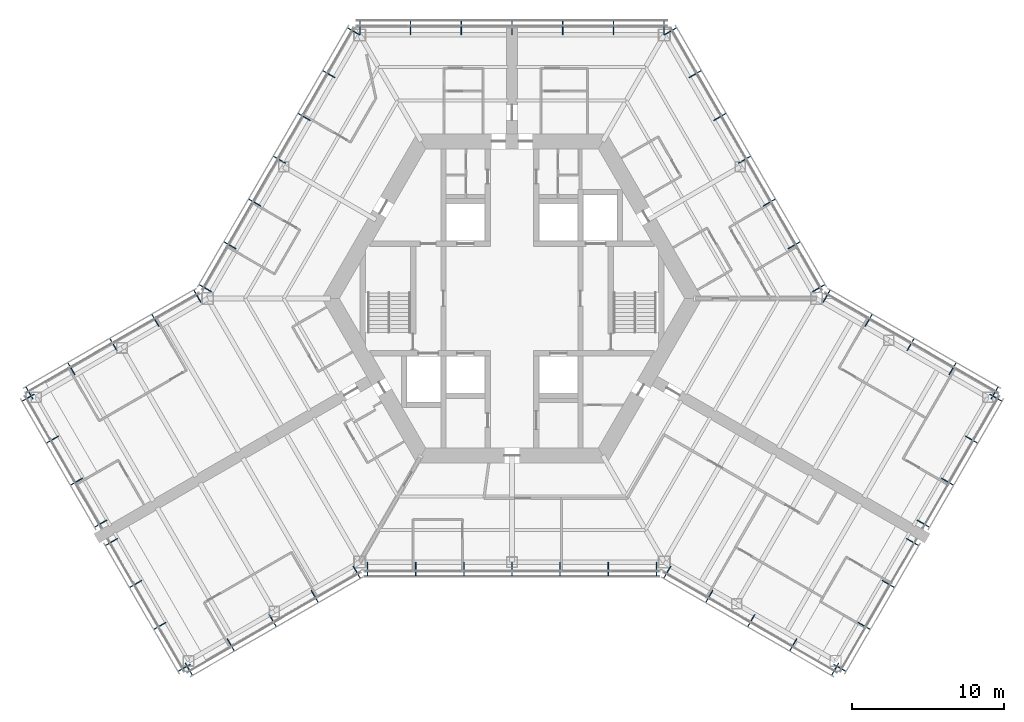
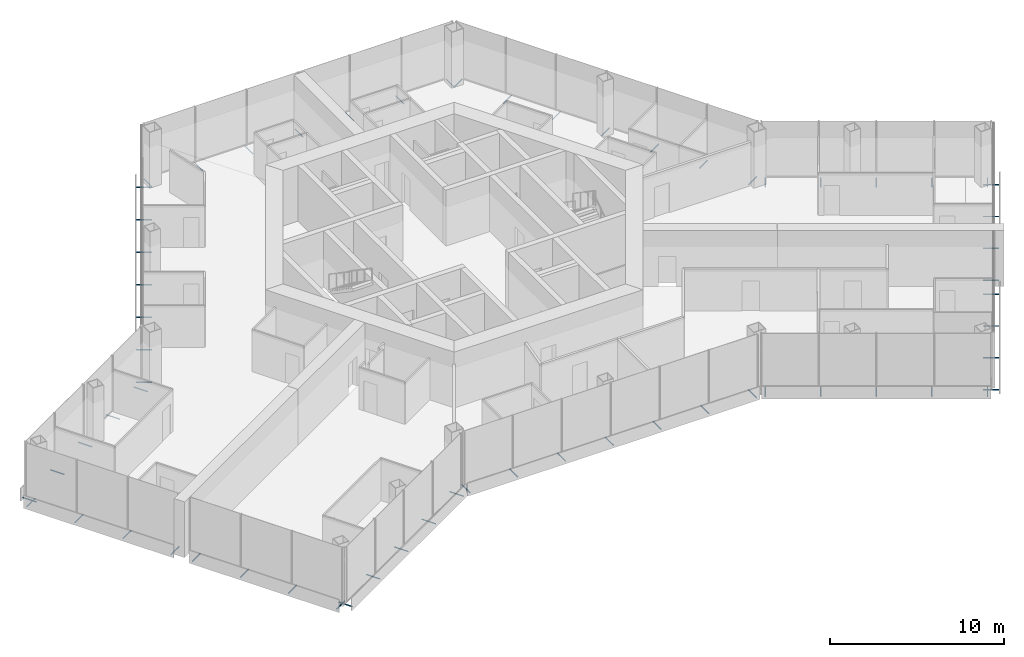
# One storey, part 16 of 18: 64 discrete accessories.
"""IFC4 building model written with IfcOpenShell, lengths in metres."""

from ifc_helpers import new_model, si_unit, direction, frame, origin, origin_2d, place, context, subcontext, project, spatial, hollow_circle, extrude, material, material_profile, profile_set, type_object, element, save


model = new_model("IFC4")

# Units and contexts
model_context = context("Model", 3, precision=1e-05, world=origin(), true_north=direction((0.0, 1.0)))
body_context = subcontext(model_context, "Body", "Model", "MODEL_VIEW")
ifc_project = project(units=[si_unit("LENGTHUNIT", "METRE"), si_unit("AREAUNIT", "SQUARE_METRE"), si_unit("VOLUMEUNIT", "CUBIC_METRE"), si_unit("PLANEANGLEUNIT", "RADIAN"), si_unit("MASSUNIT", "GRAM", prefix="KILO")], contexts=[model_context])

# Site, building, storey
site_placement = place(None, origin())
site = spatial("IfcSite", under=ifc_project, at=site_placement, CompositionType="ELEMENT")
building_placement = place(site_placement, origin())
building = spatial("IfcBuilding", under=site, at=building_placement, Name="Kasaneha Research Tower", CompositionType="ELEMENT")
storey_placement = place(building_placement, frame((0.0, 0.0, 172.10009765625)))
storey = spatial("IfcBuildingStorey", under=building, at=storey_placement, Name="L43", CompositionType="ELEMENT", Elevation=172.10009765625)

# Discrete accessories
ifc_material = material(Name="Steel STK400", Category="steel")
ifc_material_profile = material_profile(ifc_material, hollow_circle(Radius=0.0380859375, WallThickness=0.00390625, at=origin_2d()), Name="CHS-76.3x4.0")
ifc_profile_set = profile_set([ifc_material_profile], Name="Steel STK400")
discrete_accessory_type = type_object("IfcDiscreteAccessoryType", Name="Screen bracket CHS-76.3x4.0", PredefinedType="BRACKET", material=ifc_profile_set)
for number, where, z_axis, x_axis, name in (
    (1, (-9.4892578125, -17.320556640625, -0.300048828125), (0.0, -1.0, 0.0), (1.0, 0.0, 0.0), "Screen bracket 1"),
    (2, (-6.326171875, -17.320556640625, -0.300048828125), (0.0, -1.0, 0.0), (1.0, 0.0, 0.0), "Screen bracket 2"),
    (3, (-3.1630859375, -17.320556640625, -0.300048828125), (0.0, -1.0, 0.0), (1.0, 0.0, 0.0), "Screen bracket 3"),
    (4, (0.0, -17.320556640625, -0.300048828125), (0.0, -1.0, 0.0), (1.0, 0.0, 0.0), "Screen bracket 4"),
    (5, (3.1630859375, -17.320556640625, -0.300048828125), (0.0, -1.0, 0.0), (1.0, 0.0, 0.0), "Screen bracket 5"),
    (6, (6.326171875, -17.320556640625, -0.300048828125), (0.0, -1.0, 0.0), (1.0, 0.0, 0.0), "Screen bracket 6"),
    (7, (9.4892578125, -17.320556640625, -0.300048828125), (0.0, -1.0, 0.0), (1.0, 0.0, 0.0), "Screen bracket 7"),
    (8, (10.4423828125, -17.575927734375, -0.300048828125), (-0.500021113727, -0.866013213425, 0.0), (0.866013213425, -0.500021113727, 0.0), "Screen bracket 1"),
):
    element("IfcDiscreteAccessory", number, at=place(storey_placement, frame(where, z_axis=z_axis, x_axis=x_axis)), inside=storey, type_object=discrete_accessory_type, Name=name, PredefinedType="BRACKET", context=body_context, shape_type="SweptSolid", body=[
        extrude(hollow_circle(Radius=0.0380859375, WallThickness=0.00390625, at=origin_2d()), origin(), (0.0, 0.0, 1.0), 0.919921875),
    ])
discrete_accessory_1_placement = place(storey_placement, frame((13.200439453125, -19.168212890625, -0.300048828125), z_axis=(-0.499906209203, -0.866079547155, 0.0), x_axis=(0.866079547155, -0.499906209203, 0.0)))
element("IfcDiscreteAccessory", 9, at=discrete_accessory_1_placement, inside=storey, type_object=discrete_accessory_type, Name="Screen bracket 2", PredefinedType="BRACKET", context=body_context, shape_type="SweptSolid", body=[
    extrude(hollow_circle(Radius=0.0380859375, WallThickness=0.00390625, at=origin_2d()), origin(), (0.0, 0.0, 1.0), 0.920166015625),
])
discrete_accessory_2_placement = place(storey_placement, frame((15.95849609375, -20.7607421875, -0.300048828125), z_axis=(-0.500021113727, -0.866013213425, 0.0), x_axis=(0.866013213425, -0.500021113727, 0.0)))
element("IfcDiscreteAccessory", 10, at=discrete_accessory_2_placement, inside=storey, type_object=discrete_accessory_type, Name="Screen bracket 3", PredefinedType="BRACKET", context=body_context, shape_type="SweptSolid", body=[
    extrude(hollow_circle(Radius=0.0380859375, WallThickness=0.00390625, at=origin_2d()), origin(), (0.0, 0.0, 1.0), 0.919921875),
])
discrete_accessory_3_placement = place(storey_placement, frame((18.716796875, -22.35302734375, -0.300048828125), z_axis=(-0.500105201737, -0.865964657013, 0.0), x_axis=(0.865964657013, -0.500105201737, 0.0)))
element("IfcDiscreteAccessory", 11, at=discrete_accessory_3_placement, inside=storey, type_object=discrete_accessory_type, Name="Screen bracket 4", PredefinedType="BRACKET", context=body_context, shape_type="SweptSolid", body=[
    extrude(hollow_circle(Radius=0.0380859375, WallThickness=0.00390625, at=origin_2d()), origin(), (0.0, 0.0, 1.0), 0.920166015625),
])
discrete_accessory_4_placement = place(storey_placement, frame((21.474853515625, -23.945556640625, -0.300048828125), z_axis=(-0.500021113727, -0.866013213425, 0.0), x_axis=(0.866013213425, -0.500021113727, 0.0)))
element("IfcDiscreteAccessory", 12, at=discrete_accessory_4_placement, inside=storey, type_object=discrete_accessory_type, Name="Screen bracket 5", PredefinedType="BRACKET", context=body_context, shape_type="SweptSolid", body=[
    extrude(hollow_circle(Radius=0.0380859375, WallThickness=0.00390625, at=origin_2d()), origin(), (0.0, 0.0, 1.0), 0.919921875),
])
discrete_accessory_5_placement = place(storey_placement, frame((21.13330078125, -24.037109375, -0.300048828125), z_axis=(0.866079547155, -0.499906209203, 0.0), x_axis=(0.499906209203, 0.866079547155, 0.0)))
element("IfcDiscreteAccessory", 13, at=discrete_accessory_5_placement, inside=storey, type_object=discrete_accessory_type, Name="Screen bracket 1", PredefinedType="BRACKET", context=body_context, shape_type="SweptSolid", body=[
    extrude(hollow_circle(Radius=0.0380859375, WallThickness=0.00390625, at=origin_2d()), origin(), (0.0, 0.0, 1.0), 0.920166015625),
])
discrete_accessory_6_placement = place(storey_placement, frame((22.72509765625, -21.2802734375, -0.300048828125), z_axis=(0.866013213425, -0.500021113727, 0.0), x_axis=(0.500021113727, 0.866013213425, 0.0)))
element("IfcDiscreteAccessory", 14, at=discrete_accessory_6_placement, inside=storey, type_object=discrete_accessory_type, Name="Screen bracket 2", PredefinedType="BRACKET", context=body_context, shape_type="SweptSolid", body=[
    extrude(hollow_circle(Radius=0.0380859375, WallThickness=0.00390625, at=origin_2d()), origin(), (0.0, 0.0, 1.0), 0.919921875),
])
discrete_accessory_7_placement = place(storey_placement, frame((24.316650390625, -18.5234375, -0.300048828125), z_axis=(0.866079547155, -0.499906209203, 0.0), x_axis=(0.499906209203, 0.866079547155, 0.0)))
element("IfcDiscreteAccessory", 15, at=discrete_accessory_7_placement, inside=storey, type_object=discrete_accessory_type, Name="Screen bracket 3", PredefinedType="BRACKET", context=body_context, shape_type="SweptSolid", body=[
    extrude(hollow_circle(Radius=0.0380859375, WallThickness=0.00390625, at=origin_2d()), origin(), (0.0, 0.0, 1.0), 0.920166015625),
])
for number, where, z_axis, x_axis, name in (
    (16, (25.908447265625, -15.766357421875, -0.300048828125), (0.865898279276, -0.500220121494, 0.0), (0.500220121494, 0.865898279276, 0.0), "Screen bracket 4"),
    (17, (26.6083984375, -14.553955078125, -0.300048828125), (0.866013213425, -0.500021113727, 0.0), (0.500021113727, 0.866013213425, 0.0), "Screen bracket 1"),
):
    element("IfcDiscreteAccessory", number, at=place(storey_placement, frame(where, z_axis=z_axis, x_axis=x_axis)), inside=storey, type_object=discrete_accessory_type, Name=name, PredefinedType="BRACKET", context=body_context, shape_type="SweptSolid", body=[
        extrude(hollow_circle(Radius=0.0380859375, WallThickness=0.00390625, at=origin_2d()), origin(), (0.0, 0.0, 1.0), 0.919921875),
    ])
discrete_accessory_8_placement = place(storey_placement, frame((28.199951171875, -11.797119140625, -0.300048828125), z_axis=(0.866079547155, -0.499906209203, 0.0), x_axis=(0.499906209203, 0.866079547155, 0.0)))
element("IfcDiscreteAccessory", 18, at=discrete_accessory_8_placement, inside=storey, type_object=discrete_accessory_type, Name="Screen bracket 2", PredefinedType="BRACKET", context=body_context, shape_type="SweptSolid", body=[
    extrude(hollow_circle(Radius=0.0380859375, WallThickness=0.00390625, at=origin_2d()), origin(), (0.0, 0.0, 1.0), 0.920166015625),
])
discrete_accessory_9_placement = place(storey_placement, frame((29.791748046875, -9.040283203125, -0.300048828125), z_axis=(0.866013213425, -0.500021113727, 0.0), x_axis=(0.500021113727, 0.866013213425, 0.0)))
element("IfcDiscreteAccessory", 19, at=discrete_accessory_9_placement, inside=storey, type_object=discrete_accessory_type, Name="Screen bracket 3", PredefinedType="BRACKET", context=body_context, shape_type="SweptSolid", body=[
    extrude(hollow_circle(Radius=0.0380859375, WallThickness=0.00390625, at=origin_2d()), origin(), (0.0, 0.0, 1.0), 0.919921875),
])
discrete_accessory_10_placement = place(storey_placement, frame((31.38330078125, -6.283447265625, -0.300048828125), z_axis=(0.866079547155, -0.499906209203, 0.0), x_axis=(0.499906209203, 0.866079547155, 0.0)))
element("IfcDiscreteAccessory", 20, at=discrete_accessory_10_placement, inside=storey, type_object=discrete_accessory_type, Name="Screen bracket 4", PredefinedType="BRACKET", context=body_context, shape_type="SweptSolid", body=[
    extrude(hollow_circle(Radius=0.0380859375, WallThickness=0.00390625, at=origin_2d()), origin(), (0.0, 0.0, 1.0), 0.920166015625),
])
discrete_accessory_11_placement = place(storey_placement, frame((31.474853515625, -6.625, -0.300048828125), z_axis=(0.500021113727, 0.866013213425, 0.0), x_axis=(-0.866013213425, 0.500021113727, 0.0)))
element("IfcDiscreteAccessory", 21, at=discrete_accessory_11_placement, inside=storey, type_object=discrete_accessory_type, Name="Screen bracket 1", PredefinedType="BRACKET", context=body_context, shape_type="SweptSolid", body=[
    extrude(hollow_circle(Radius=0.0380859375, WallThickness=0.00390625, at=origin_2d()), origin(), (0.0, 0.0, 1.0), 0.919921875),
])
discrete_accessory_12_placement = place(storey_placement, frame((28.716796875, -5.03271484375, -0.300048828125), z_axis=(0.499906209203, 0.866079547155, 0.0), x_axis=(-0.866079547155, 0.499906209203, 0.0)))
element("IfcDiscreteAccessory", 22, at=discrete_accessory_12_placement, inside=storey, type_object=discrete_accessory_type, Name="Screen bracket 2", PredefinedType="BRACKET", context=body_context, shape_type="SweptSolid", body=[
    extrude(hollow_circle(Radius=0.0380859375, WallThickness=0.00390625, at=origin_2d()), origin(), (0.0, 0.0, 1.0), 0.920166015625),
])
discrete_accessory_13_placement = place(storey_placement, frame((25.95849609375, -3.440185546875, -0.300048828125), z_axis=(0.500220121494, 0.865898279276, 0.0), x_axis=(-0.865898279276, 0.500220121494, 0.0)))
element("IfcDiscreteAccessory", 23, at=discrete_accessory_13_placement, inside=storey, type_object=discrete_accessory_type, Name="Screen bracket 3", PredefinedType="BRACKET", context=body_context, shape_type="SweptSolid", body=[
    extrude(hollow_circle(Radius=0.0380859375, WallThickness=0.00390625, at=origin_2d()), origin(), (0.0, 0.0, 1.0), 0.919921875),
])
discrete_accessory_14_placement = place(storey_placement, frame((23.200439453125, -1.847900390625, -0.300048828125), z_axis=(0.499906209203, 0.866079547155, 0.0), x_axis=(-0.866079547155, 0.499906209203, 0.0)))
element("IfcDiscreteAccessory", 24, at=discrete_accessory_14_placement, inside=storey, type_object=discrete_accessory_type, Name="Screen bracket 4", PredefinedType="BRACKET", context=body_context, shape_type="SweptSolid", body=[
    extrude(hollow_circle(Radius=0.0380859375, WallThickness=0.00390625, at=origin_2d()), origin(), (0.0, 0.0, 1.0), 0.920166015625),
])
for number, where, z_axis, x_axis, name in (
    (25, (20.4423828125, -0.25537109375, -0.300048828125), (0.500021113727, 0.866013213425, 0.0), (-0.866013213425, 0.500021113727, 0.0), "Screen bracket 5"),
    (26, (19.74462890625, 0.4423828125, -0.300048828125), (0.866013213425, 0.500021113727, 0.0), (-0.500021113727, 0.866013213425, 0.0), "Screen bracket 1"),
    (27, (18.120849609375, 3.2548828125, -0.300048828125), (0.866013213425, 0.500021113727, 0.0), (-0.500021113727, 0.866013213425, 0.0), "Screen bracket 2"),
    (28, (16.4970703125, 6.0673828125, -0.300048828125), (0.866013213425, 0.500021113727, 0.0), (-0.500021113727, 0.866013213425, 0.0), "Screen bracket 3"),
    (29, (14.873291015625, 8.8798828125, -0.300048828125), (0.866013213425, 0.500021113727, 0.0), (-0.500021113727, 0.866013213425, 0.0), "Screen bracket 4"),
    (30, (13.24951171875, 11.6923828125, -0.300048828125), (0.866013213425, 0.500021113727, 0.0), (-0.500021113727, 0.866013213425, 0.0), "Screen bracket 5"),
):
    element("IfcDiscreteAccessory", number, at=place(storey_placement, frame(where, z_axis=z_axis, x_axis=x_axis)), inside=storey, type_object=discrete_accessory_type, Name=name, PredefinedType="BRACKET", context=body_context, shape_type="SweptSolid", body=[
        extrude(hollow_circle(Radius=0.0380859375, WallThickness=0.00390625, at=origin_2d()), origin(), (0.0, 0.0, 1.0), 0.919921875),
    ])
for number, where, z_axis, x_axis, name in (
    (31, (11.62548828125, 14.5048828125, -0.300048828125), (0.866079547155, 0.499906209203, 0.0), (-0.499906209203, 0.866079547155, 0.0), "Screen bracket 6"),
    (32, (10.001708984375, 17.3173828125, -0.300048828125), (0.866079547155, 0.499906209203, 0.0), (-0.499906209203, 0.866079547155, 0.0), "Screen bracket 7"),
):
    element("IfcDiscreteAccessory", number, at=place(storey_placement, frame(where, z_axis=z_axis, x_axis=x_axis)), inside=storey, type_object=discrete_accessory_type, Name=name, PredefinedType="BRACKET", context=body_context, shape_type="SweptSolid", body=[
        extrude(hollow_circle(Radius=0.0380859375, WallThickness=0.00390625, at=origin_2d()), origin(), (0.0, 0.0, 1.0), 0.920166015625),
    ])
for number, where, z_axis, x_axis, name in (
    (33, (9.996337890625, 17.320556640625, -0.300048828125), (0.0, 1.0, 0.0), (-1.0, 0.0, 0.0), "Screen bracket 1"),
    (34, (6.664306640625, 17.320556640625, -0.300048828125), (0.0, 1.0, 0.0), (-1.0, 0.0, 0.0), "Screen bracket 2"),
    (35, (3.33203125, 17.320556640625, -0.300048828125), (0.0, 1.0, 0.0), (-1.0, 0.0, 0.0), "Screen bracket 3"),
    (36, (0.0, 17.320556640625, -0.300048828125), (0.0, 1.0, 0.0), (-1.0, 0.0, 0.0), "Screen bracket 4"),
    (37, (-3.33203125, 17.320556640625, -0.300048828125), (0.0, 1.0, 0.0), (-1.0, 0.0, 0.0), "Screen bracket 5"),
    (38, (-6.664306640625, 17.320556640625, -0.300048828125), (0.0, 1.0, 0.0), (-1.0, 0.0, 0.0), "Screen bracket 6"),
    (39, (-9.996337890625, 17.320556640625, -0.300048828125), (0.0, 1.0, 0.0), (-1.0, 0.0, 0.0), "Screen bracket 7"),
):
    element("IfcDiscreteAccessory", number, at=place(storey_placement, frame(where, z_axis=z_axis, x_axis=x_axis)), inside=storey, type_object=discrete_accessory_type, Name=name, PredefinedType="BRACKET", context=body_context, shape_type="SweptSolid", body=[
        extrude(hollow_circle(Radius=0.0380859375, WallThickness=0.00390625, at=origin_2d()), origin(), (0.0, 0.0, 1.0), 0.919921875),
    ])
for number, where, z_axis, x_axis, name in (
    (40, (-10.001708984375, 17.3173828125, -0.300048828125), (-0.866079547155, 0.499906209203, 0.0), (-0.499906209203, -0.866079547155, 0.0), "Screen bracket 1"),
    (41, (-11.62548828125, 14.5048828125, -0.300048828125), (-0.866079547155, 0.499906209203, 0.0), (-0.499906209203, -0.866079547155, 0.0), "Screen bracket 2"),
):
    element("IfcDiscreteAccessory", number, at=place(storey_placement, frame(where, z_axis=z_axis, x_axis=x_axis)), inside=storey, type_object=discrete_accessory_type, Name=name, PredefinedType="BRACKET", context=body_context, shape_type="SweptSolid", body=[
        extrude(hollow_circle(Radius=0.0380859375, WallThickness=0.00390625, at=origin_2d()), origin(), (0.0, 0.0, 1.0), 0.920166015625),
    ])
for number, where, z_axis, x_axis, name in (
    (42, (-13.24951171875, 11.6923828125, -0.300048828125), (-0.866013213425, 0.500021113727, 0.0), (-0.500021113727, -0.866013213425, 0.0), "Screen bracket 3"),
    (43, (-14.873291015625, 8.8798828125, -0.300048828125), (-0.866013213425, 0.500021113727, 0.0), (-0.500021113727, -0.866013213425, 0.0), "Screen bracket 4"),
    (44, (-16.4970703125, 6.0673828125, -0.300048828125), (-0.866013213425, 0.500021113727, 0.0), (-0.500021113727, -0.866013213425, 0.0), "Screen bracket 5"),
    (45, (-18.120849609375, 3.2548828125, -0.300048828125), (-0.866013213425, 0.500021113727, 0.0), (-0.500021113727, -0.866013213425, 0.0), "Screen bracket 6"),
    (46, (-19.74462890625, 0.4423828125, -0.300048828125), (-0.866013213425, 0.500021113727, 0.0), (-0.500021113727, -0.866013213425, 0.0), "Screen bracket 7"),
    (47, (-20.4423828125, -0.25537109375, -0.300048828125), (-0.500021113727, 0.866013213425, 0.0), (-0.866013213425, -0.500021113727, 0.0), "Screen bracket 1"),
):
    element("IfcDiscreteAccessory", number, at=place(storey_placement, frame(where, z_axis=z_axis, x_axis=x_axis)), inside=storey, type_object=discrete_accessory_type, Name=name, PredefinedType="BRACKET", context=body_context, shape_type="SweptSolid", body=[
        extrude(hollow_circle(Radius=0.0380859375, WallThickness=0.00390625, at=origin_2d()), origin(), (0.0, 0.0, 1.0), 0.919921875),
    ])
discrete_accessory_15_placement = place(storey_placement, frame((-23.200439453125, -1.847900390625, -0.300048828125), z_axis=(-0.499906209203, 0.866079547155, 0.0), x_axis=(-0.866079547155, -0.499906209203, 0.0)))
element("IfcDiscreteAccessory", 48, at=discrete_accessory_15_placement, inside=storey, type_object=discrete_accessory_type, Name="Screen bracket 2", PredefinedType="BRACKET", context=body_context, shape_type="SweptSolid", body=[
    extrude(hollow_circle(Radius=0.0380859375, WallThickness=0.00390625, at=origin_2d()), origin(), (0.0, 0.0, 1.0), 0.920166015625),
])
discrete_accessory_16_placement = place(storey_placement, frame((-25.95849609375, -3.440185546875, -0.300048828125), z_axis=(-0.500220121494, 0.865898279276, 0.0), x_axis=(-0.865898279276, -0.500220121494, 0.0)))
element("IfcDiscreteAccessory", 49, at=discrete_accessory_16_placement, inside=storey, type_object=discrete_accessory_type, Name="Screen bracket 3", PredefinedType="BRACKET", context=body_context, shape_type="SweptSolid", body=[
    extrude(hollow_circle(Radius=0.0380859375, WallThickness=0.00390625, at=origin_2d()), origin(), (0.0, 0.0, 1.0), 0.919921875),
])
discrete_accessory_17_placement = place(storey_placement, frame((-28.716796875, -5.03271484375, -0.300048828125), z_axis=(-0.499906209203, 0.866079547155, 0.0), x_axis=(-0.866079547155, -0.499906209203, 0.0)))
element("IfcDiscreteAccessory", 50, at=discrete_accessory_17_placement, inside=storey, type_object=discrete_accessory_type, Name="Screen bracket 4", PredefinedType="BRACKET", context=body_context, shape_type="SweptSolid", body=[
    extrude(hollow_circle(Radius=0.0380859375, WallThickness=0.00390625, at=origin_2d()), origin(), (0.0, 0.0, 1.0), 0.920166015625),
])
discrete_accessory_18_placement = place(storey_placement, frame((-31.474853515625, -6.625, -0.300048828125), z_axis=(-0.500021113727, 0.866013213425, 0.0), x_axis=(-0.866013213425, -0.500021113727, 0.0)))
element("IfcDiscreteAccessory", 51, at=discrete_accessory_18_placement, inside=storey, type_object=discrete_accessory_type, Name="Screen bracket 5", PredefinedType="BRACKET", context=body_context, shape_type="SweptSolid", body=[
    extrude(hollow_circle(Radius=0.0380859375, WallThickness=0.00390625, at=origin_2d()), origin(), (0.0, 0.0, 1.0), 0.919921875),
])
discrete_accessory_19_placement = place(storey_placement, frame((-31.38330078125, -6.283447265625, -0.300048828125), z_axis=(-0.866079547155, -0.499906209203, 0.0), x_axis=(0.499906209203, -0.866079547155, 0.0)))
element("IfcDiscreteAccessory", 52, at=discrete_accessory_19_placement, inside=storey, type_object=discrete_accessory_type, Name="Screen bracket 1", PredefinedType="BRACKET", context=body_context, shape_type="SweptSolid", body=[
    extrude(hollow_circle(Radius=0.0380859375, WallThickness=0.00390625, at=origin_2d()), origin(), (0.0, 0.0, 1.0), 0.920166015625),
])
discrete_accessory_20_placement = place(storey_placement, frame((-29.791748046875, -9.040283203125, -0.300048828125), z_axis=(-0.866013213425, -0.500021113727, 0.0), x_axis=(0.500021113727, -0.866013213425, 0.0)))
element("IfcDiscreteAccessory", 53, at=discrete_accessory_20_placement, inside=storey, type_object=discrete_accessory_type, Name="Screen bracket 2", PredefinedType="BRACKET", context=body_context, shape_type="SweptSolid", body=[
    extrude(hollow_circle(Radius=0.0380859375, WallThickness=0.00390625, at=origin_2d()), origin(), (0.0, 0.0, 1.0), 0.919921875),
])
discrete_accessory_21_placement = place(storey_placement, frame((-28.199951171875, -11.797119140625, -0.300048828125), z_axis=(-0.866079547155, -0.499906209203, 0.0), x_axis=(0.499906209203, -0.866079547155, 0.0)))
element("IfcDiscreteAccessory", 54, at=discrete_accessory_21_placement, inside=storey, type_object=discrete_accessory_type, Name="Screen bracket 3", PredefinedType="BRACKET", context=body_context, shape_type="SweptSolid", body=[
    extrude(hollow_circle(Radius=0.0380859375, WallThickness=0.00390625, at=origin_2d()), origin(), (0.0, 0.0, 1.0), 0.920166015625),
])
for number, where, z_axis, x_axis, name in (
    (55, (-26.6083984375, -14.553955078125, -0.300048828125), (-0.866013213425, -0.500021113727, 0.0), (0.500021113727, -0.866013213425, 0.0), "Screen bracket 4"),
    (56, (-25.908447265625, -15.766357421875, -0.300048828125), (-0.865898279276, -0.500220121494, 0.0), (0.500220121494, -0.865898279276, 0.0), "Screen bracket 1"),
):
    element("IfcDiscreteAccessory", number, at=place(storey_placement, frame(where, z_axis=z_axis, x_axis=x_axis)), inside=storey, type_object=discrete_accessory_type, Name=name, PredefinedType="BRACKET", context=body_context, shape_type="SweptSolid", body=[
        extrude(hollow_circle(Radius=0.0380859375, WallThickness=0.00390625, at=origin_2d()), origin(), (0.0, 0.0, 1.0), 0.919921875),
    ])
discrete_accessory_22_placement = place(storey_placement, frame((-24.316650390625, -18.5234375, -0.300048828125), z_axis=(-0.866079547155, -0.499906209203, 0.0), x_axis=(0.499906209203, -0.866079547155, 0.0)))
element("IfcDiscreteAccessory", 57, at=discrete_accessory_22_placement, inside=storey, type_object=discrete_accessory_type, Name="Screen bracket 2", PredefinedType="BRACKET", context=body_context, shape_type="SweptSolid", body=[
    extrude(hollow_circle(Radius=0.0380859375, WallThickness=0.00390625, at=origin_2d()), origin(), (0.0, 0.0, 1.0), 0.920166015625),
])
discrete_accessory_23_placement = place(storey_placement, frame((-22.72509765625, -21.2802734375, -0.300048828125), z_axis=(-0.866013213425, -0.500021113727, 0.0), x_axis=(0.500021113727, -0.866013213425, 0.0)))
element("IfcDiscreteAccessory", 58, at=discrete_accessory_23_placement, inside=storey, type_object=discrete_accessory_type, Name="Screen bracket 3", PredefinedType="BRACKET", context=body_context, shape_type="SweptSolid", body=[
    extrude(hollow_circle(Radius=0.0380859375, WallThickness=0.00390625, at=origin_2d()), origin(), (0.0, 0.0, 1.0), 0.919921875),
])
discrete_accessory_24_placement = place(storey_placement, frame((-21.13330078125, -24.037109375, -0.300048828125), z_axis=(-0.866079547155, -0.499906209203, 0.0), x_axis=(0.499906209203, -0.866079547155, 0.0)))
element("IfcDiscreteAccessory", 59, at=discrete_accessory_24_placement, inside=storey, type_object=discrete_accessory_type, Name="Screen bracket 4", PredefinedType="BRACKET", context=body_context, shape_type="SweptSolid", body=[
    extrude(hollow_circle(Radius=0.0380859375, WallThickness=0.00390625, at=origin_2d()), origin(), (0.0, 0.0, 1.0), 0.920166015625),
])
discrete_accessory_25_placement = place(storey_placement, frame((-21.474853515625, -23.945556640625, -0.300048828125), z_axis=(0.500021113727, -0.866013213425, 0.0), x_axis=(0.866013213425, 0.500021113727, 0.0)))
element("IfcDiscreteAccessory", 60, at=discrete_accessory_25_placement, inside=storey, type_object=discrete_accessory_type, Name="Screen bracket 1", PredefinedType="BRACKET", context=body_context, shape_type="SweptSolid", body=[
    extrude(hollow_circle(Radius=0.0380859375, WallThickness=0.00390625, at=origin_2d()), origin(), (0.0, 0.0, 1.0), 0.919921875),
])
discrete_accessory_26_placement = place(storey_placement, frame((-18.716796875, -22.35302734375, -0.300048828125), z_axis=(0.500105201737, -0.865964657013, 0.0), x_axis=(0.865964657013, 0.500105201737, 0.0)))
element("IfcDiscreteAccessory", 61, at=discrete_accessory_26_placement, inside=storey, type_object=discrete_accessory_type, Name="Screen bracket 2", PredefinedType="BRACKET", context=body_context, shape_type="SweptSolid", body=[
    extrude(hollow_circle(Radius=0.0380859375, WallThickness=0.00390625, at=origin_2d()), origin(), (0.0, 0.0, 1.0), 0.920166015625),
])
discrete_accessory_27_placement = place(storey_placement, frame((-15.95849609375, -20.7607421875, -0.300048828125), z_axis=(0.500021113727, -0.866013213425, 0.0), x_axis=(0.866013213425, 0.500021113727, 0.0)))
element("IfcDiscreteAccessory", 62, at=discrete_accessory_27_placement, inside=storey, type_object=discrete_accessory_type, Name="Screen bracket 3", PredefinedType="BRACKET", context=body_context, shape_type="SweptSolid", body=[
    extrude(hollow_circle(Radius=0.0380859375, WallThickness=0.00390625, at=origin_2d()), origin(), (0.0, 0.0, 1.0), 0.919921875),
])
discrete_accessory_28_placement = place(storey_placement, frame((-13.200439453125, -19.168212890625, -0.300048828125), z_axis=(0.499906209203, -0.866079547155, 0.0), x_axis=(0.866079547155, 0.499906209203, 0.0)))
element("IfcDiscreteAccessory", 63, at=discrete_accessory_28_placement, inside=storey, type_object=discrete_accessory_type, Name="Screen bracket 4", PredefinedType="BRACKET", context=body_context, shape_type="SweptSolid", body=[
    extrude(hollow_circle(Radius=0.0380859375, WallThickness=0.00390625, at=origin_2d()), origin(), (0.0, 0.0, 1.0), 0.920166015625),
])
discrete_accessory_29_placement = place(storey_placement, frame((-10.4423828125, -17.575927734375, -0.300048828125), z_axis=(0.500021113727, -0.866013213425, 0.0), x_axis=(0.866013213425, 0.500021113727, 0.0)))
element("IfcDiscreteAccessory", 64, at=discrete_accessory_29_placement, inside=storey, type_object=discrete_accessory_type, Name="Screen bracket 5", PredefinedType="BRACKET", context=body_context, shape_type="SweptSolid", body=[
    extrude(hollow_circle(Radius=0.0380859375, WallThickness=0.00390625, at=origin_2d()), origin(), (0.0, 0.0, 1.0), 0.919921875),
])

save(model, "model.ifc")
